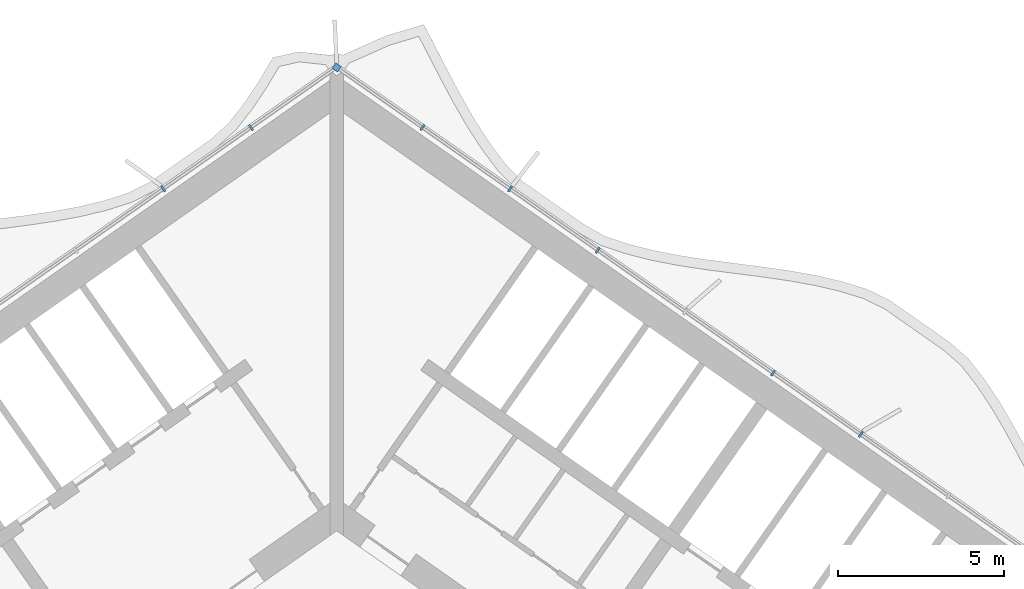
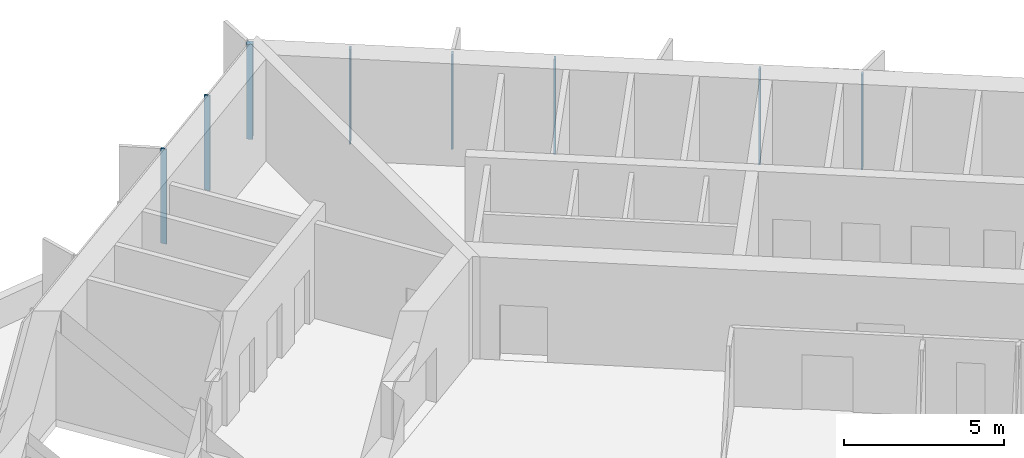
# One storey, part 9 of 23: 8 members, 1 element without a shape of its own.
"""IFC4 building model written with IfcOpenShell, lengths in metres."""

from ifc_helpers import new_model, si_unit, direction, frame, origin, origin_2d, place, context, subcontext, project, spatial, rectangle, extrude, material, material_profile, profile_set, type_object, element, aggregate, save


model = new_model("IFC4")

# Units and contexts
model_context = context("Model", 3, precision=1e-05, world=origin(), true_north=direction((0.0, 1.0)))
body_context = subcontext(model_context, "Body", "Model", "MODEL_VIEW")
ifc_project = project(units=[si_unit("LENGTHUNIT", "METRE"), si_unit("AREAUNIT", "SQUARE_METRE"), si_unit("VOLUMEUNIT", "CUBIC_METRE"), si_unit("PLANEANGLEUNIT", "RADIAN"), si_unit("MASSUNIT", "GRAM", prefix="KILO")], contexts=[model_context])

# Site, building, storey
site_placement = place(None, origin())
site = spatial("IfcSite", under=ifc_project, at=site_placement, CompositionType="ELEMENT")
building_placement = place(site_placement, origin())
building = spatial("IfcBuilding", under=site, at=building_placement, Name="Tel Ilan Convention Tower", CompositionType="ELEMENT")
storey_placement = place(building_placement, frame((0.0, 0.0, 186.60009765625)))
storey = spatial("IfcBuildingStorey", under=building, at=storey_placement, Name="L43", CompositionType="ELEMENT", Elevation=186.60009765625)

# Curtain wall, members
ifc_material_1 = material(Name="Aluminium, bronze anodised", Category="aluminium")
curtain_wall_type = type_object("IfcCurtainWallType", Name="CW2 STICK CURTAIN WALL, SPANDREL PANELS", PredefinedType="NOTDEFINED", material=ifc_material_1)
curtain_wall_placement = place(storey_placement, origin())
curtain_wall = element("IfcCurtainWall", 1, at=curtain_wall_placement, inside=storey, type_object=curtain_wall_type, Name="Curtain wall CW2-33.01", PredefinedType="NOTDEFINED")
ifc_material_2 = material(Name="Aluminium, bronze anodised", Category="aluminium")
ifc_material_profile_1 = material_profile(ifc_material_2, rectangle(XDim=0.199951171875, YDim=0.199951171875, at=origin_2d()), Name="CW CORNER MULLION 200x200")
ifc_profile_set_1 = profile_set([ifc_material_profile_1], Name="Aluminium, bronze anodised")
member_type_1 = type_object("IfcMemberType", Name="CW CORNER MULLION 200x200", PredefinedType="MULLION", material=ifc_profile_set_1)
member_1_placement = place(storey_placement, frame((0.0, 12.696044921875, 0.0), z_axis=(0.0, 0.0, 1.0), x_axis=(-0.819152044289, 0.573576436351, 0.0)))
member_1 = element("IfcMember", 2, at=member_1_placement, type_object=member_type_1, Name="Corner mullion", PredefinedType="MULLION", context=body_context, shape_type="SweptSolid", body=[
    extrude(rectangle(XDim=0.199951171875, YDim=0.199951171875, at=origin_2d()), origin(), (0.0, 0.0, 1.0), 3.619873046875),
])
ifc_material_3 = material(Name="Aluminium, bronze anodised", Category="aluminium")
ifc_material_profile_2 = material_profile(ifc_material_3, rectangle(XDim=0.06005859375, YDim=0.199951171875, at=origin_2d()), Name="CW MULLION 60x200")
ifc_profile_set_2 = profile_set([ifc_material_profile_2], Name="Aluminium, bronze anodised")
member_type_2 = type_object("IfcMemberType", Name="CW MULLION 60x200", PredefinedType="MULLION", material=ifc_profile_set_2)
member_2_placement = place(storey_placement, frame((15.73828125, 1.676025390625, 0.0), z_axis=(0.0, 0.0, 1.0), x_axis=(-0.819152044289, 0.573576436351, 0.0)))
member_2 = element("IfcMember", 3, at=member_2_placement, type_object=member_type_2, Name="Mullion", PredefinedType="MULLION", context=body_context, shape_type="SweptSolid", body=[
    extrude(rectangle(XDim=0.06005859375, YDim=0.199951171875, at=origin_2d()), origin(), (0.0, 0.0, 1.0), 3.619873046875),
])
member_3_placement = place(storey_placement, frame((13.105712890625, 3.519287109375, 0.0), z_axis=(0.0, 0.0, 1.0), x_axis=(-0.819152044289, 0.573576436351, 0.0)))
member_3 = element("IfcMember", 4, at=member_3_placement, type_object=member_type_2, Name="Mullion", PredefinedType="MULLION", context=body_context, shape_type="SweptSolid", body=[
    extrude(rectangle(XDim=0.06005859375, YDim=0.199951171875, at=origin_2d()), origin(), (0.0, 0.0, 1.0), 3.619873046875),
])
member_4_placement = place(storey_placement, frame((7.840576171875, 7.2060546875, 0.0), z_axis=(0.0, 0.0, 1.0), x_axis=(-0.819152044289, 0.573576436351, 0.0)))
member_4 = element("IfcMember", 5, at=member_4_placement, type_object=member_type_2, Name="Mullion", PredefinedType="MULLION", context=body_context, shape_type="SweptSolid", body=[
    extrude(rectangle(XDim=0.06005859375, YDim=0.199951171875, at=origin_2d()), origin(), (0.0, 0.0, 1.0), 3.619873046875),
])
member_5_placement = place(storey_placement, frame((5.207763671875, 9.049560546875, 0.0), z_axis=(0.0, 0.0, 1.0), x_axis=(-0.819152044289, 0.573576436351, 0.0)))
member_5 = element("IfcMember", 6, at=member_5_placement, type_object=member_type_2, Name="Mullion", PredefinedType="MULLION", context=body_context, shape_type="SweptSolid", body=[
    extrude(rectangle(XDim=0.06005859375, YDim=0.199951171875, at=origin_2d()), origin(), (0.0, 0.0, 1.0), 3.619873046875),
])
member_6_placement = place(storey_placement, frame((2.5751953125, 10.892822265625, 0.0), z_axis=(0.0, 0.0, 1.0), x_axis=(-0.819152044289, 0.573576436351, 0.0)))
member_6 = element("IfcMember", 7, at=member_6_placement, type_object=member_type_2, Name="Mullion", PredefinedType="MULLION", context=body_context, shape_type="SweptSolid", body=[
    extrude(rectangle(XDim=0.06005859375, YDim=0.199951171875, at=origin_2d()), origin(), (0.0, 0.0, 1.0), 3.619873046875),
])
member_7_placement = place(storey_placement, frame((-2.5751953125, 10.892822265625, 0.0), z_axis=(0.0, 0.0, 1.0), x_axis=(-0.819152044289, -0.573576436351, 0.0)))
member_7 = element("IfcMember", 8, at=member_7_placement, type_object=member_type_2, Name="Mullion", PredefinedType="MULLION", context=body_context, shape_type="SweptSolid", body=[
    extrude(rectangle(XDim=0.06005859375, YDim=0.199951171875, at=origin_2d()), origin(), (0.0, 0.0, 1.0), 3.619873046875),
])
member_8_placement = place(storey_placement, frame((-5.207763671875, 9.049560546875, 0.0), z_axis=(0.0, 0.0, 1.0), x_axis=(-0.819152044289, -0.573576436351, 0.0)))
member_8 = element("IfcMember", 9, at=member_8_placement, type_object=member_type_2, Name="Mullion", PredefinedType="MULLION", context=body_context, shape_type="SweptSolid", body=[
    extrude(rectangle(XDim=0.06005859375, YDim=0.199951171875, at=origin_2d()), origin(), (0.0, 0.0, 1.0), 3.619873046875),
])
aggregate(curtain_wall, [member_2, member_3, member_4, member_5, member_6, member_1, member_7, member_8])

save(model, "model.ifc")
